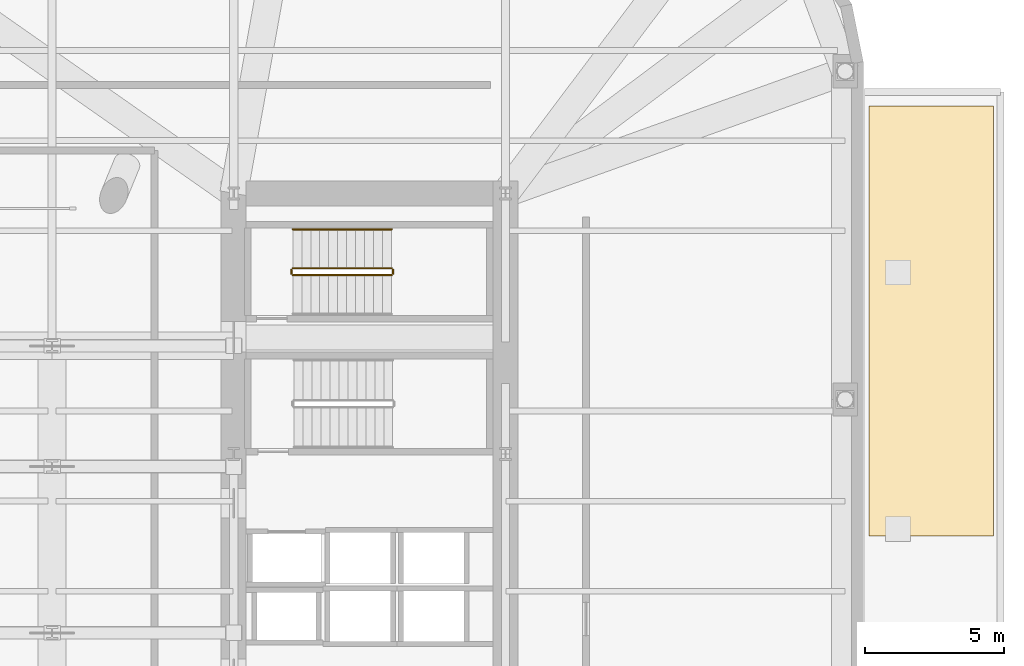
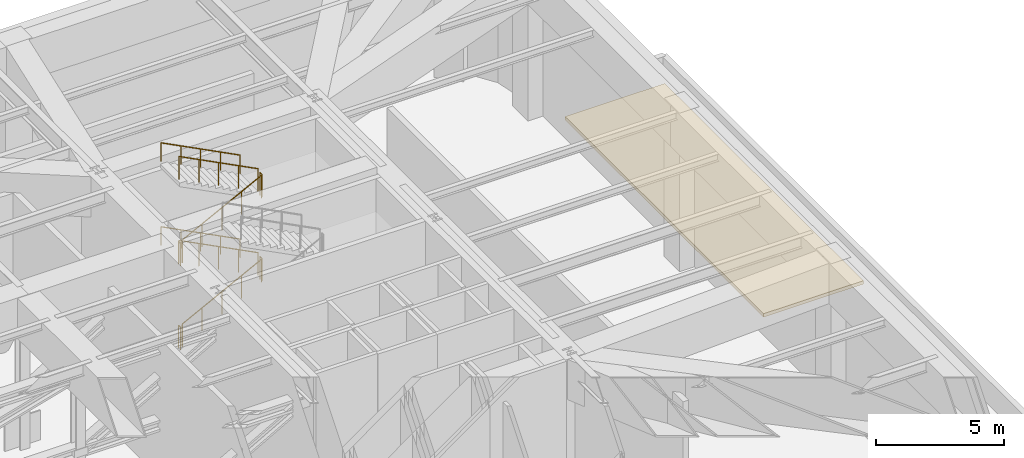
# One storey, part 15 of 15: 10 railings, 1 covering.
"""IFC4 building model written with IfcOpenShell, lengths in metres."""

from ifc_helpers import new_model, si_unit, direction, frame, origin, origin_2d, place, context, subcontext, project, spatial, polyline, circle, outline, extrude, material, layer, layer_set, type_object, element, save


model = new_model("IFC4")

# Units and contexts
model_context = context("Model", 3, precision=1e-05, world=origin(), true_north=direction((0.0, 1.0)))
body_context = subcontext(model_context, "Body", "Model", "MODEL_VIEW")
ifc_project = project(units=[si_unit("LENGTHUNIT", "METRE"), si_unit("AREAUNIT", "SQUARE_METRE"), si_unit("VOLUMEUNIT", "CUBIC_METRE"), si_unit("PLANEANGLEUNIT", "RADIAN"), si_unit("MASSUNIT", "GRAM", prefix="KILO")], contexts=[model_context])

# Site, building, storey
site_placement = place(None, origin())
site = spatial("IfcSite", under=ifc_project, at=site_placement, CompositionType="ELEMENT")
building_placement = place(site_placement, origin())
building = spatial("IfcBuilding", under=site, at=building_placement, Name="Kolvaren Arena Tower", CompositionType="ELEMENT")
storey_placement = place(building_placement, frame((0.0, 0.0, 34.0)))
storey = spatial("IfcBuildingStorey", under=building, at=storey_placement, Name="L06", CompositionType="ELEMENT", Elevation=34.0)

# Railings
ifc_material_1 = material(Name="Painted galvanized steel", Category="steel")
railing_type_1 = type_object("IfcRailingType", Name="GUARD-ST-110", PredefinedType="GUARDRAIL", material=ifc_material_1)
railing_1_placement = place(storey_placement, frame((52.679931640625, 36.39990234375, 0.166748046875)))
element("IfcRailing", 1, at=railing_1_placement, inside=storey, type_object=railing_type_1, Name="L06 ST-E2 stair guard 1", PredefinedType="GUARDRAIL", context=body_context, shape_type="SweptSolid", body=[
    extrude(circle(Radius=0.02392578125, at=origin_2d()), frame((0.0, 0.0, 1.076171875), z_axis=(0.889251698267, 0.0, 0.45741820813), x_axis=(0.0, 1.0, 0.0)), (0.0, 0.0, 1.0), 4.0078125),
    extrude(circle(Radius=0.02099609375, at=origin_2d()), origin(), (0.0, 0.0, 1.0), 1.052001953125),
    extrude(circle(Radius=0.02099609375, at=origin_2d()), frame((0.89111328125, 0.0, 0.458251953125)), (0.0, 0.0, 1.0), 1.052001953125),
    extrude(circle(Radius=0.02099609375, at=origin_2d()), frame((1.781982421875, 0.0, 0.91650390625)), (0.0, 0.0, 1.0), 1.052001953125),
    extrude(circle(Radius=0.02099609375, at=origin_2d()), frame((2.6728515625, 0.0, 1.375)), (0.0, 0.0, 1.0), 1.052001953125),
    extrude(circle(Radius=0.02099609375, at=origin_2d()), frame((3.56396484375, 0.0, 1.833251953125)), (0.0, 0.0, 1.0), 1.052001953125),
])
railing_2_placement = place(storey_placement, frame((56.2939453125, 36.449951171875, 2.0)))
element("IfcRailing", 2, at=railing_2_placement, inside=storey, type_object=railing_type_1, Name="L06 ST-E2 stair guard 2", PredefinedType="GUARDRAIL", context=body_context, shape_type="SweptSolid", body=[
    extrude(circle(Radius=0.02392578125, at=origin_2d()), frame((0.0, 0.0, 1.076171875), z_axis=(0.0, 1.0, 0.0), x_axis=(-1.0, 0.0, 0.0)), (0.0, 0.0, 1.0), 0.150146484375),
    extrude(circle(Radius=0.02099609375, at=origin_2d()), origin(), (0.0, 0.0, 1.0), 1.052001953125),
    extrude(circle(Radius=0.02099609375, at=origin_2d()), frame((0.0, 0.150146484375, 0.0)), (0.0, 0.0, 1.0), 1.052001953125),
])
railing_3_placement = place(storey_placement, frame((56.243896484375, 36.64990234375, 2.166748046875)))
element("IfcRailing", 3, at=railing_3_placement, inside=storey, type_object=railing_type_1, Name="L06 ST-E2 stair guard 3", PredefinedType="GUARDRAIL", context=body_context, shape_type="SweptSolid", body=[
    extrude(circle(Radius=0.02392578125, at=origin_2d()), frame((0.0, 0.0, 1.076171875), z_axis=(-0.889251698267, 0.0, 0.45741820813), x_axis=(0.0, -1.0, 0.0)), (0.0, 0.0, 1.0), 4.0078125),
    extrude(circle(Radius=0.02099609375, at=origin_2d()), origin(), (0.0, 0.0, 1.0), 1.052001953125),
    extrude(circle(Radius=0.02099609375, at=origin_2d()), frame((-0.89111328125, 0.0, 0.458251953125)), (0.0, 0.0, 1.0), 1.052001953125),
    extrude(circle(Radius=0.02099609375, at=origin_2d()), frame((-1.781982421875, 0.0, 0.91650390625)), (0.0, 0.0, 1.0), 1.052001953125),
    extrude(circle(Radius=0.02099609375, at=origin_2d()), frame((-2.6728515625, 0.0, 1.375)), (0.0, 0.0, 1.0), 1.052001953125),
    extrude(circle(Radius=0.02099609375, at=origin_2d()), frame((-3.56396484375, 0.0, 1.833251953125)), (0.0, 0.0, 1.0), 1.052001953125),
])
railing_4_placement = place(storey_placement, frame((52.6298828125, 36.449951171875, 4.0)))
element("IfcRailing", 4, at=railing_4_placement, inside=storey, type_object=railing_type_1, Name="L06 ST-E2 stair guard 4", PredefinedType="GUARDRAIL", context=body_context, shape_type="SweptSolid", body=[
    extrude(circle(Radius=0.02392578125, at=origin_2d()), frame((0.0, 0.0, 1.076171875), z_axis=(0.0, 1.0, 0.0), x_axis=(-1.0, 0.0, 0.0)), (0.0, 0.0, 1.0), 0.150146484375),
    extrude(circle(Radius=0.02099609375, at=origin_2d()), origin(), (0.0, 0.0, 1.0), 1.052001953125),
    extrude(circle(Radius=0.02099609375, at=origin_2d()), frame((0.0, 0.150146484375, 0.0)), (0.0, 0.0, 1.0), 1.052001953125),
])
railing_5_placement = place(storey_placement, frame((52.679931640625, 36.39990234375, 4.166748046875)))
element("IfcRailing", 5, at=railing_5_placement, inside=storey, type_object=railing_type_1, Name="L06 ST-E2 stair guard 5", PredefinedType="GUARDRAIL", context=body_context, shape_type="SweptSolid", body=[
    extrude(circle(Radius=0.02392578125, at=origin_2d()), frame((0.0, 0.0, 1.076171875), z_axis=(0.889251698267, 0.0, 0.45741820813), x_axis=(0.0, 1.0, 0.0)), (0.0, 0.0, 1.0), 4.0078125),
    extrude(circle(Radius=0.02099609375, at=origin_2d()), origin(), (0.0, 0.0, 1.0), 1.052001953125),
    extrude(circle(Radius=0.02099609375, at=origin_2d()), frame((0.89111328125, 0.0, 0.458251953125)), (0.0, 0.0, 1.0), 1.052001953125),
    extrude(circle(Radius=0.02099609375, at=origin_2d()), frame((1.781982421875, 0.0, 0.91650390625)), (0.0, 0.0, 1.0), 1.052001953125),
    extrude(circle(Radius=0.02099609375, at=origin_2d()), frame((2.6728515625, 0.0, 1.375)), (0.0, 0.0, 1.0), 1.052001953125),
    extrude(circle(Radius=0.02099609375, at=origin_2d()), frame((3.56396484375, 0.0, 1.833251953125)), (0.0, 0.0, 1.0), 1.052001953125),
])
railing_6_placement = place(storey_placement, frame((56.2939453125, 36.449951171875, 6.0)))
element("IfcRailing", 6, at=railing_6_placement, inside=storey, type_object=railing_type_1, Name="L06 ST-E2 stair guard 6", PredefinedType="GUARDRAIL", context=body_context, shape_type="SweptSolid", body=[
    extrude(circle(Radius=0.02392578125, at=origin_2d()), frame((0.0, 0.0, 1.076171875), z_axis=(0.0, 1.0, 0.0), x_axis=(-1.0, 0.0, 0.0)), (0.0, 0.0, 1.0), 0.150146484375),
    extrude(circle(Radius=0.02099609375, at=origin_2d()), origin(), (0.0, 0.0, 1.0), 1.052001953125),
    extrude(circle(Radius=0.02099609375, at=origin_2d()), frame((0.0, 0.150146484375, 0.0)), (0.0, 0.0, 1.0), 1.052001953125),
])
railing_7_placement = place(storey_placement, frame((56.243896484375, 36.64990234375, 6.166748046875)))
element("IfcRailing", 7, at=railing_7_placement, inside=storey, type_object=railing_type_1, Name="L06 ST-E2 stair guard 7", PredefinedType="GUARDRAIL", context=body_context, shape_type="SweptSolid", body=[
    extrude(circle(Radius=0.02392578125, at=origin_2d()), frame((0.0, 0.0, 1.076171875), z_axis=(-0.889251698267, 0.0, 0.45741820813), x_axis=(0.0, -1.0, 0.0)), (0.0, 0.0, 1.0), 4.0078125),
    extrude(circle(Radius=0.02099609375, at=origin_2d()), origin(), (0.0, 0.0, 1.0), 1.052001953125),
    extrude(circle(Radius=0.02099609375, at=origin_2d()), frame((-0.89111328125, 0.0, 0.458251953125)), (0.0, 0.0, 1.0), 1.052001953125),
    extrude(circle(Radius=0.02099609375, at=origin_2d()), frame((-1.781982421875, 0.0, 0.91650390625)), (0.0, 0.0, 1.0), 1.052001953125),
    extrude(circle(Radius=0.02099609375, at=origin_2d()), frame((-2.6728515625, 0.0, 1.375)), (0.0, 0.0, 1.0), 1.052001953125),
    extrude(circle(Radius=0.02099609375, at=origin_2d()), frame((-3.56396484375, 0.0, 1.833251953125)), (0.0, 0.0, 1.0), 1.052001953125),
])
railing_8_placement = place(storey_placement, frame((52.6298828125, 36.449951171875, 0.0)))
element("IfcRailing", 8, at=railing_8_placement, inside=storey, type_object=railing_type_1, Name="L06 ST-E2 stair guard 8", PredefinedType="GUARDRAIL", context=body_context, shape_type="SweptSolid", body=[
    extrude(circle(Radius=0.02392578125, at=origin_2d()), frame((0.0, 0.0, 1.076171875), z_axis=(0.0, 1.0, 0.0), x_axis=(-1.0, 0.0, 0.0)), (0.0, 0.0, 1.0), 0.150146484375),
    extrude(circle(Radius=0.02099609375, at=origin_2d()), origin(), (0.0, 0.0, 1.0), 1.052001953125),
    extrude(circle(Radius=0.02099609375, at=origin_2d()), frame((0.0, 0.150146484375, 0.0)), (0.0, 0.0, 1.0), 1.052001953125),
])
ifc_material_2 = material(Name="Brushed stainless steel handrail", Category="steel")
railing_type_2 = type_object("IfcRailingType", Name="HRAIL-900", PredefinedType="HANDRAIL", material=ifc_material_2)
for number, where, name in (
    (9, (56.243896484375, 38.050048828125, 2.166748046875), "L06 ST-E2 stair handrail 2"),
    (10, (56.243896484375, 38.050048828125, 6.166748046875), "L06 ST-E2 stair handrail 4"),
):
    element("IfcRailing", number, at=place(storey_placement, frame(where)), inside=storey, type_object=railing_type_2, Name=name, PredefinedType="HANDRAIL", context=body_context, shape_type="SweptSolid", body=[
        extrude(circle(Radius=0.02392578125, at=origin_2d()), frame((0.0, 0.0, 0.8759765625), z_axis=(-0.889251698267, 0.0, 0.45741820813), x_axis=(0.0, -1.0, 0.0)), (0.0, 0.0, 1.0), 4.0078125),
        extrude(circle(Radius=0.02099609375, at=origin_2d()), origin(), (0.0, 0.0, 1.0), 0.851806640625),
        extrude(circle(Radius=0.02099609375, at=origin_2d()), frame((-0.89111328125, 0.0, 0.458251953125)), (0.0, 0.0, 1.0), 0.851806640625),
        extrude(circle(Radius=0.02099609375, at=origin_2d()), frame((-1.781982421875, 0.0, 0.91650390625)), (0.0, 0.0, 1.0), 0.851806640625),
        extrude(circle(Radius=0.02099609375, at=origin_2d()), frame((-2.6728515625, 0.0, 1.375)), (0.0, 0.0, 1.0), 0.851806640625),
        extrude(circle(Radius=0.02099609375, at=origin_2d()), frame((-3.56396484375, 0.0, 1.833251953125)), (0.0, 0.0, 1.0), 0.851806640625),
    ])

# Covering
ifc_material_3 = material(Name="Insulated cold-climate EPDM roof assembly", Category="concrete")
ifc_layer = layer(ifc_material_3, 0.159912109375)
ifc_layer_set = layer_set([ifc_layer], Name="Insulated cold-climate EPDM roof assembly")
covering_type = type_object("IfcCoveringType", Name="ROOF-MEM-1", PredefinedType="ROOFING", material=ifc_layer_set)
covering_placement = place(storey_placement, origin())
element("IfcCovering", 11, at=covering_placement, inside=storey, type_object=covering_type, Name="Cold-Climate Insulated EPDM Roof Assembly 1 (L06)", PredefinedType="ROOFING", context=body_context, shape_type="SweptSolid", body=[
    extrude(outline(polyline([(73.449951171875, 27.0), (77.949951171875, 27.0), (77.949951171875, 42.5), (73.449951171875, 42.5), (73.449951171875, 27.0)])), origin(), (0.0, 0.0, 1.0), 0.159912109375),
])

save(model, "model.ifc")
